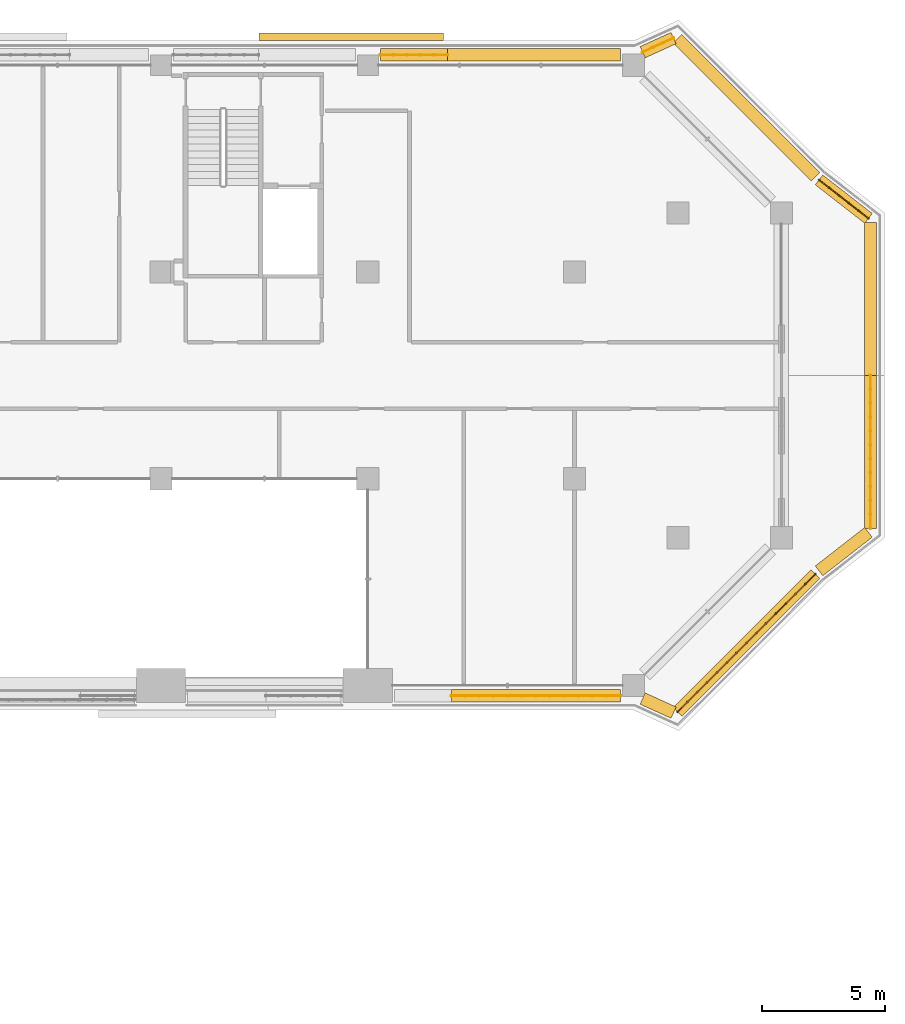
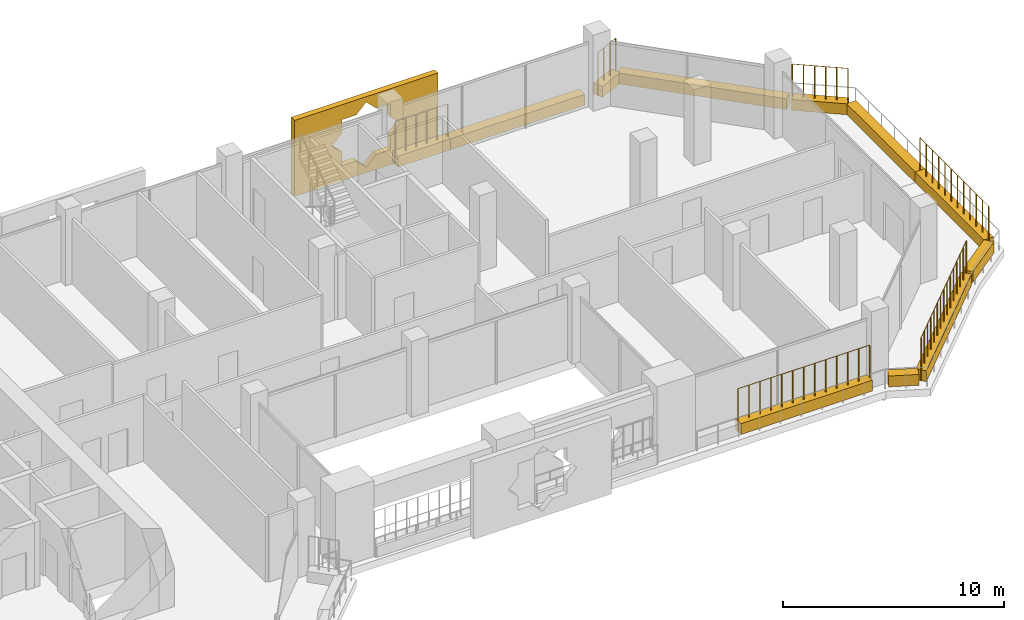
# One storey, part 23 of 23: 12 coverings, 6 railings.
"""IFC4 building model written with IfcOpenShell, lengths in metres."""

from ifc_helpers import new_model, si_unit, direction, frame, origin, origin_2d, place, context, subcontext, project, spatial, polyline, rectangle, circle, outline, extrude, material, material_profile, profile_set, type_object, element, save


model = new_model("IFC4")

# Units and contexts
model_context = context("Model", 3, precision=1e-05, world=origin(), true_north=direction((0.0, 1.0)))
body_context = subcontext(model_context, "Body", "Model", "MODEL_VIEW")
ifc_project = project(units=[si_unit("LENGTHUNIT", "METRE"), si_unit("AREAUNIT", "SQUARE_METRE"), si_unit("VOLUMEUNIT", "CUBIC_METRE"), si_unit("PLANEANGLEUNIT", "RADIAN"), si_unit("MASSUNIT", "GRAM", prefix="KILO")], contexts=[model_context])

# Site, building, storey
site_placement = place(None, origin())
site = spatial("IfcSite", under=ifc_project, at=site_placement, CompositionType="ELEMENT")
building_placement = place(site_placement, origin())
building = spatial("IfcBuilding", under=site, at=building_placement, Name="Kawkab Arch Medical Tower", CompositionType="ELEMENT")
storey_placement = place(building_placement, frame((0.0, 0.0, 226.39990234375)))
storey = spatial("IfcBuildingStorey", under=building, at=storey_placement, Name="L52", CompositionType="ELEMENT", Elevation=226.39990234375)

# Coverings
ifc_material_1 = material(Name="Bronze anodised aluminium mashrabiya panel, eight-point star pattern", Category="aluminium")
ifc_material_profile_1 = material_profile(ifc_material_1, outline(polyline([(-3.75, -2.10009765625), (3.75, -2.10009765625), (3.75, 2.10009765625), (-3.75, 2.10009765625), (-3.75, -2.10009765625)]), holes=[polyline([(1.800048828125, 0.0), (1.272705078125, 0.527099609375), (1.272705078125, 1.272705078125), (0.527099609375, 1.272705078125), (0.0, 1.800048828125), (-0.527099609375, 1.272705078125), (-1.272705078125, 1.272705078125), (-1.272705078125, 0.527099609375), (-1.800048828125, 0.0), (-1.272705078125, -0.527099609375), (-1.272705078125, -1.272705078125), (-0.527099609375, -1.272705078125), (0.0, -1.800048828125), (0.527099609375, -1.272705078125), (1.272705078125, -1.272705078125), (1.272705078125, -0.527099609375), (1.800048828125, 0.0)])]), Name="Mashrabiya panel 7500x4200")
ifc_profile_set_1 = profile_set([ifc_material_profile_1], Name="Bronze anodised aluminium mashrabiya panel, eight-point star pattern")
covering_type_1 = type_object("IfcCoveringType", Name="Mashrabiya panel 7500 x 4200", PredefinedType="USERDEFINED", material=ifc_profile_set_1)
covering_1_placement = place(storey_placement, frame((49.726318359375, 1.0, 1.7001953125), z_axis=(0.0, 1.0, 0.0), x_axis=(-1.0, 0.0, 0.0)))
element("IfcCovering", 1, at=covering_1_placement, inside=storey, type_object=covering_type_1, Name="Mashrabiya panel L52.LOG-01-02.8", ObjectType="SCREEN", PredefinedType="USERDEFINED", context=body_context, shape_type="SweptSolid", body=[
    extrude(outline(polyline([(-3.75, -2.10009765625), (3.75, -2.10009765625), (3.75, 2.10009765625), (-3.75, 2.10009765625), (-3.75, -2.10009765625)]), holes=[polyline([(1.800048828125, 0.0), (1.272705078125, 0.527099609375), (1.272705078125, 1.272705078125), (0.527099609375, 1.272705078125), (0.0, 1.800048828125), (-0.527099609375, 1.272705078125), (-1.272705078125, 1.272705078125), (-1.272705078125, 0.527099609375), (-1.800048828125, 0.0), (-1.272705078125, -0.527099609375), (-1.272705078125, -1.272705078125), (-0.527099609375, -1.272705078125), (0.0, -1.800048828125), (0.527099609375, -1.272705078125), (1.272705078125, -1.272705078125), (1.272705078125, -0.527099609375), (1.800048828125, 0.0)])]), origin(), (0.0, 0.0, 1.0), 0.300048828125),
])
ifc_material_2 = material(Name="Planting soil in a precast trough", Category="concrete")
ifc_material_profile_2 = material_profile(ifc_material_2, rectangle(XDim=0.5, YDim=0.60009765625, at=origin_2d()), Name="Trough 500x600")
ifc_profile_set_2 = profile_set([ifc_material_profile_2], Name="Planting soil in a precast trough")
covering_type_2 = type_object("IfcCoveringType", Name="Planter trough 500 x 600", PredefinedType="USERDEFINED", material=ifc_profile_set_2)
covering_2_placement = place(storey_placement, frame((50.905029296875, 0.419921875, 0.300048828125), z_axis=(1.0, 0.0, 0.0), x_axis=(0.0, 1.0, 0.0)))
element("IfcCovering", 2, at=covering_2_placement, inside=storey, type_object=covering_type_2, Name="Planter L52.LOG-01-02.27", ObjectType="PLANTER", PredefinedType="USERDEFINED", context=body_context, shape_type="SweptSolid", body=[
    extrude(rectangle(XDim=0.5, YDim=0.60009765625, at=origin_2d()), origin(), (0.0, 0.0, 1.0), 2.739013671875),
])
covering_3_placement = place(storey_placement, frame((53.64404296875, 0.419921875, 0.300048828125), z_axis=(1.0, 0.0, 0.0), x_axis=(0.0, 1.0, 0.0)))
element("IfcCovering", 3, at=covering_3_placement, inside=storey, type_object=covering_type_2, Name="Planter L52.LOG-01-02.28", ObjectType="PLANTER", PredefinedType="USERDEFINED", context=body_context, shape_type="SweptSolid", body=[
    extrude(rectangle(XDim=0.5, YDim=0.60009765625, at=origin_2d()), origin(), (0.0, 0.0, 1.0), 7.02587890625),
])
covering_4_placement = place(storey_placement, frame((61.56689453125, 0.530029296875, 0.300048828125), z_axis=(0.909831953447, 0.41497688669, 0.0), x_axis=(-0.41497688669, 0.909831953447, 0.0)))
element("IfcCovering", 4, at=covering_4_placement, inside=storey, type_object=covering_type_2, Name="Planter L52.LOG-01-02.29", ObjectType="PLANTER", PredefinedType="USERDEFINED", context=body_context, shape_type="SweptSolid", body=[
    extrude(rectangle(XDim=0.5, YDim=0.60009765625, at=origin_2d()), origin(), (0.0, 0.0, 1.0), 1.37841796875),
])
covering_5_placement = place(storey_placement, frame((62.98291015625, 1.072998046875, 0.300048828125), z_axis=(0.707106781187, -0.707106781187, 0.0), x_axis=(0.707106781187, 0.707106781187, 0.0)))
element("IfcCovering", 5, at=covering_5_placement, inside=storey, type_object=covering_type_2, Name="Planter L52.LOG-01-02.30", ObjectType="PLANTER", PredefinedType="USERDEFINED", context=body_context, shape_type="SweptSolid", body=[
    extrude(rectangle(XDim=0.5, YDim=0.60009765625, at=origin_2d()), origin(), (0.0, 0.0, 1.0), 7.919677734375),
])
covering_6_placement = place(storey_placement, frame((68.73193359375, -4.658935546875, 0.300048828125), z_axis=(0.789274742246, -0.61404021143, 0.0), x_axis=(0.61404021143, 0.789274742246, 0.0)))
element("IfcCovering", 6, at=covering_6_placement, inside=storey, type_object=covering_type_2, Name="Planter L52.LOG-01-02.31", ObjectType="PLANTER", PredefinedType="USERDEFINED", context=body_context, shape_type="SweptSolid", body=[
    extrude(rectangle(XDim=0.5, YDim=0.60009765625, at=origin_2d()), origin(), (0.0, 0.0, 1.0), 2.54541015625),
])
covering_7_placement = place(storey_placement, frame((70.820068359375, -6.384033203125, 0.300048828125), z_axis=(0.0, -1.0, 0.0), x_axis=(1.0, 0.0, 0.0)))
element("IfcCovering", 7, at=covering_7_placement, inside=storey, type_object=covering_type_2, Name="Planter L52.LOG-01-02.32", ObjectType="PLANTER", PredefinedType="USERDEFINED", context=body_context, shape_type="SweptSolid", body=[
    extrude(rectangle(XDim=0.5, YDim=0.60009765625, at=origin_2d()), origin(), (0.0, 0.0, 1.0), 6.216064453125),
])
covering_8_placement = place(storey_placement, frame((70.820068359375, -12.60009765625, 0.300048828125), z_axis=(0.0, -1.0, 0.0), x_axis=(1.0, 0.0, 0.0)))
element("IfcCovering", 8, at=covering_8_placement, inside=storey, type_object=covering_type_2, Name="Planter L52.LOG-01-02.33", ObjectType="PLANTER", PredefinedType="USERDEFINED", context=body_context, shape_type="SweptSolid", body=[
    extrude(rectangle(XDim=0.5, YDim=0.60009765625, at=origin_2d()), origin(), (0.0, 0.0, 1.0), 6.2158203125),
])
covering_9_placement = place(storey_placement, frame((70.740966796875, -18.97802734375, 0.300048828125), z_axis=(-0.789274742246, -0.61404021143, 0.0), x_axis=(0.61404021143, -0.789274742246, 0.0)))
element("IfcCovering", 9, at=covering_9_placement, inside=storey, type_object=covering_type_2, Name="Planter L52.LOG-01-02.34", ObjectType="PLANTER", PredefinedType="USERDEFINED", context=body_context, shape_type="SweptSolid", body=[
    extrude(rectangle(XDim=0.5, YDim=0.60009765625, at=origin_2d()), origin(), (0.0, 0.0, 1.0), 2.54541015625),
])
covering_10_placement = place(storey_placement, frame((68.5830078125, -20.673095703125, 0.300048828125), z_axis=(-0.70712219479, -0.707091367247, 0.0), x_axis=(0.707091367247, -0.70712219479, 0.0)))
element("IfcCovering", 10, at=covering_10_placement, inside=storey, type_object=covering_type_2, Name="Planter L52.LOG-01-02.35", ObjectType="PLANTER", PredefinedType="USERDEFINED", context=body_context, shape_type="SweptSolid", body=[
    extrude(rectangle(XDim=0.5, YDim=0.60009765625, at=origin_2d()), origin(), (0.0, 0.0, 1.0), 7.919677734375),
])
covering_11_placement = place(storey_placement, frame((62.821044921875, -26.302001953125, 0.300048828125), z_axis=(-0.909831953447, 0.41497688669, 0.0), x_axis=(-0.41497688669, -0.909831953447, 0.0)))
element("IfcCovering", 11, at=covering_11_placement, inside=storey, type_object=covering_type_2, Name="Planter L52.LOG-01-02.36", ObjectType="PLANTER", PredefinedType="USERDEFINED", context=body_context, shape_type="SweptSolid", body=[
    extrude(rectangle(XDim=0.5, YDim=0.60009765625, at=origin_2d()), origin(), (0.0, 0.0, 1.0), 1.37841796875),
])
covering_12_placement = place(storey_placement, frame((60.669921875, -25.6201171875, 0.300048828125), z_axis=(-1.0, 0.0, 0.0), x_axis=(0.0, -1.0, 0.0)))
element("IfcCovering", 12, at=covering_12_placement, inside=storey, type_object=covering_type_2, Name="Planter L52.LOG-01-02.37", ObjectType="PLANTER", PredefinedType="USERDEFINED", context=body_context, shape_type="SweptSolid", body=[
    extrude(rectangle(XDim=0.5, YDim=0.60009765625, at=origin_2d()), origin(), (0.0, 0.0, 1.0), 6.87890625),
])

# Railings
ifc_material_3 = material(Name="Bronze anodised aluminium trellis for climbing plants", Category="aluminium")
railing_type = type_object("IfcRailingType", Name="Planting trellis 2400", PredefinedType="USERDEFINED", material=ifc_material_3)
railing_1_placement = place(storey_placement, frame((50.905029296875, 0.419921875, 0.0)))
element("IfcRailing", 13, at=railing_1_placement, inside=storey, type_object=railing_type, Name="Planting trellis L52.LOG-01-02.27", ObjectType="TRELLIS", PredefinedType="USERDEFINED", context=body_context, shape_type="SweptSolid", body=[
    extrude(circle(Radius=0.01513671875, at=origin_2d()), frame((0.0, 0.0, 2.384765625), z_axis=(1.0, 0.0, 0.0), x_axis=(0.0, 1.0, 0.0)), (0.0, 0.0, 1.0), 2.739013671875),
    extrude(circle(Radius=0.030029296875, at=origin_2d()), origin(), (0.0, 0.0, 1.0), 2.369873046875),
    extrude(circle(Radius=0.030029296875, at=origin_2d()), frame((0.5478515625, 0.0, 0.0)), (0.0, 0.0, 1.0), 2.369873046875),
    extrude(circle(Radius=0.030029296875, at=origin_2d()), frame((1.095703125, 0.0, 0.0)), (0.0, 0.0, 1.0), 2.369873046875),
    extrude(circle(Radius=0.030029296875, at=origin_2d()), frame((1.643310546875, 0.0, 0.0)), (0.0, 0.0, 1.0), 2.369873046875),
    extrude(circle(Radius=0.030029296875, at=origin_2d()), frame((2.191162109375, 0.0, 0.0)), (0.0, 0.0, 1.0), 2.369873046875),
    extrude(circle(Radius=0.030029296875, at=origin_2d()), frame((2.739013671875, 0.0, 0.0)), (0.0, 0.0, 1.0), 2.369873046875),
])
railing_2_placement = place(storey_placement, frame((61.56689453125, 0.530029296875, 0.0)))
element("IfcRailing", 14, at=railing_2_placement, inside=storey, type_object=railing_type, Name="Planting trellis L52.LOG-01-02.29", ObjectType="TRELLIS", PredefinedType="USERDEFINED", context=body_context, shape_type="SweptSolid", body=[
    extrude(circle(Radius=0.01513671875, at=origin_2d()), frame((0.0, 0.0, 2.384765625), z_axis=(0.909831953447, 0.41497688669, 0.0), x_axis=(-0.41497688669, 0.909831953447, 0.0)), (0.0, 0.0, 1.0), 1.37841796875),
    extrude(circle(Radius=0.030029296875, at=origin_2d()), origin(), (0.0, 0.0, 1.0), 2.369873046875),
    extrude(circle(Radius=0.030029296875, at=origin_2d()), frame((0.41796875, 0.190673828125, 0.0)), (0.0, 0.0, 1.0), 2.369873046875),
    extrude(circle(Radius=0.030029296875, at=origin_2d()), frame((0.836181640625, 0.38134765625, 0.0)), (0.0, 0.0, 1.0), 2.369873046875),
    extrude(circle(Radius=0.030029296875, at=origin_2d()), frame((1.254150390625, 0.572021484375, 0.0)), (0.0, 0.0, 1.0), 2.369873046875),
])
railing_3_placement = place(storey_placement, frame((68.73193359375, -4.658935546875, 0.0)))
element("IfcRailing", 15, at=railing_3_placement, inside=storey, type_object=railing_type, Name="Planting trellis L52.LOG-01-02.31", ObjectType="TRELLIS", PredefinedType="USERDEFINED", context=body_context, shape_type="SweptSolid", body=[
    extrude(circle(Radius=0.01513671875, at=origin_2d()), frame((0.0, 0.0, 2.384765625), z_axis=(0.789274742246, -0.61404021143, 0.0), x_axis=(0.61404021143, 0.789274742246, 0.0)), (0.0, 0.0, 1.0), 2.54541015625),
    extrude(circle(Radius=0.030029296875, at=origin_2d()), origin(), (0.0, 0.0, 1.0), 2.369873046875),
    extrude(circle(Radius=0.030029296875, at=origin_2d()), frame((0.40185546875, -0.3125, 0.0)), (0.0, 0.0, 1.0), 2.369873046875),
    extrude(circle(Radius=0.030029296875, at=origin_2d()), frame((0.8037109375, -0.625244140625, 0.0)), (0.0, 0.0, 1.0), 2.369873046875),
    extrude(circle(Radius=0.030029296875, at=origin_2d()), frame((1.205322265625, -0.937744140625, 0.0)), (0.0, 0.0, 1.0), 2.369873046875),
    extrude(circle(Radius=0.030029296875, at=origin_2d()), frame((1.607177734375, -1.25048828125, 0.0)), (0.0, 0.0, 1.0), 2.369873046875),
    extrude(circle(Radius=0.030029296875, at=origin_2d()), frame((2.009033203125, -1.56298828125, 0.0)), (0.0, 0.0, 1.0), 2.369873046875),
])
railing_4_placement = place(storey_placement, frame((70.820068359375, -12.60009765625, 0.0)))
element("IfcRailing", 16, at=railing_4_placement, inside=storey, type_object=railing_type, Name="Planting trellis L52.LOG-01-02.33", ObjectType="TRELLIS", PredefinedType="USERDEFINED", context=body_context, shape_type="SweptSolid", body=[
    extrude(circle(Radius=0.01513671875, at=origin_2d()), frame((0.0, 0.0, 2.384765625), z_axis=(0.0, -1.0, 0.0), x_axis=(1.0, 0.0, 0.0)), (0.0, 0.0, 1.0), 6.2158203125),
    extrude(circle(Radius=0.030029296875, at=origin_2d()), origin(), (0.0, 0.0, 1.0), 2.369873046875),
    extrude(circle(Radius=0.030029296875, at=origin_2d()), frame((0.0, -0.565185546875, 0.0)), (0.0, 0.0, 1.0), 2.369873046875),
    extrude(circle(Radius=0.030029296875, at=origin_2d()), frame((0.0, -1.130126953125, 0.0)), (0.0, 0.0, 1.0), 2.369873046875),
    extrude(circle(Radius=0.030029296875, at=origin_2d()), frame((0.0, -1.6953125, 0.0)), (0.0, 0.0, 1.0), 2.369873046875),
    extrude(circle(Radius=0.030029296875, at=origin_2d()), frame((0.0, -2.26025390625, 0.0)), (0.0, 0.0, 1.0), 2.369873046875),
    extrude(circle(Radius=0.030029296875, at=origin_2d()), frame((0.0, -2.825439453125, 0.0)), (0.0, 0.0, 1.0), 2.369873046875),
    extrude(circle(Radius=0.030029296875, at=origin_2d()), frame((0.0, -3.390380859375, 0.0)), (0.0, 0.0, 1.0), 2.369873046875),
    extrude(circle(Radius=0.030029296875, at=origin_2d()), frame((0.0, -3.95556640625, 0.0)), (0.0, 0.0, 1.0), 2.369873046875),
    extrude(circle(Radius=0.030029296875, at=origin_2d()), frame((0.0, -4.5205078125, 0.0)), (0.0, 0.0, 1.0), 2.369873046875),
    extrude(circle(Radius=0.030029296875, at=origin_2d()), frame((0.0, -5.085693359375, 0.0)), (0.0, 0.0, 1.0), 2.369873046875),
    extrude(circle(Radius=0.030029296875, at=origin_2d()), frame((0.0, -5.650634765625, 0.0)), (0.0, 0.0, 1.0), 2.369873046875),
    extrude(circle(Radius=0.030029296875, at=origin_2d()), frame((0.0, -6.2158203125, 0.0)), (0.0, 0.0, 1.0), 2.369873046875),
])
railing_5_placement = place(storey_placement, frame((68.5830078125, -20.673095703125, 0.0)))
element("IfcRailing", 17, at=railing_5_placement, inside=storey, type_object=railing_type, Name="Planting trellis L52.LOG-01-02.35", ObjectType="TRELLIS", PredefinedType="USERDEFINED", context=body_context, shape_type="SweptSolid", body=[
    extrude(circle(Radius=0.01513671875, at=origin_2d()), frame((0.0, 0.0, 2.384765625), z_axis=(-0.70712219479, -0.707091367247, 0.0), x_axis=(0.707091367247, -0.70712219479, 0.0)), (0.0, 0.0, 1.0), 7.919677734375),
    extrude(circle(Radius=0.030029296875, at=origin_2d()), origin(), (0.0, 0.0, 1.0), 2.369873046875),
    extrude(circle(Radius=0.030029296875, at=origin_2d()), frame((-0.39990234375, -0.39990234375, 0.0)), (0.0, 0.0, 1.0), 2.369873046875),
    extrude(circle(Radius=0.030029296875, at=origin_2d()), frame((-0.800048828125, -0.800048828125, 0.0)), (0.0, 0.0, 1.0), 2.369873046875),
    extrude(circle(Radius=0.030029296875, at=origin_2d()), frame((-1.199951171875, -1.199951171875, 0.0)), (0.0, 0.0, 1.0), 2.369873046875),
    extrude(circle(Radius=0.030029296875, at=origin_2d()), frame((-1.60009765625, -1.599853515625, 0.0)), (0.0, 0.0, 1.0), 2.369873046875),
    extrude(circle(Radius=0.030029296875, at=origin_2d()), frame((-2.0, -2.0, 0.0)), (0.0, 0.0, 1.0), 2.369873046875),
    extrude(circle(Radius=0.030029296875, at=origin_2d()), frame((-2.400146484375, -2.39990234375, 0.0)), (0.0, 0.0, 1.0), 2.369873046875),
    extrude(circle(Radius=0.030029296875, at=origin_2d()), frame((-2.800048828125, -2.7998046875, 0.0)), (0.0, 0.0, 1.0), 2.369873046875),
    extrude(circle(Radius=0.030029296875, at=origin_2d()), frame((-3.199951171875, -3.199951171875, 0.0)), (0.0, 0.0, 1.0), 2.369873046875),
    extrude(circle(Radius=0.030029296875, at=origin_2d()), frame((-3.60009765625, -3.599853515625, 0.0)), (0.0, 0.0, 1.0), 2.369873046875),
    extrude(circle(Radius=0.030029296875, at=origin_2d()), frame((-4.0, -4.0, 0.0)), (0.0, 0.0, 1.0), 2.369873046875),
    extrude(circle(Radius=0.030029296875, at=origin_2d()), frame((-4.400146484375, -4.39990234375, 0.0)), (0.0, 0.0, 1.0), 2.369873046875),
    extrude(circle(Radius=0.030029296875, at=origin_2d()), frame((-4.800048828125, -4.7998046875, 0.0)), (0.0, 0.0, 1.0), 2.369873046875),
    extrude(circle(Radius=0.030029296875, at=origin_2d()), frame((-5.2001953125, -5.199951171875, 0.0)), (0.0, 0.0, 1.0), 2.369873046875),
    extrude(circle(Radius=0.030029296875, at=origin_2d()), frame((-5.60009765625, -5.599853515625, 0.0)), (0.0, 0.0, 1.0), 2.369873046875),
])
railing_6_placement = place(storey_placement, frame((60.669921875, -25.6201171875, 0.0)))
element("IfcRailing", 18, at=railing_6_placement, inside=storey, type_object=railing_type, Name="Planting trellis L52.LOG-01-02.37", ObjectType="TRELLIS", PredefinedType="USERDEFINED", context=body_context, shape_type="SweptSolid", body=[
    extrude(circle(Radius=0.01513671875, at=origin_2d()), frame((0.0, 0.0, 2.384765625), z_axis=(-1.0, 0.0, 0.0), x_axis=(0.0, -1.0, 0.0)), (0.0, 0.0, 1.0), 6.87890625),
    extrude(circle(Radius=0.030029296875, at=origin_2d()), origin(), (0.0, 0.0, 1.0), 2.369873046875),
    extrude(circle(Radius=0.030029296875, at=origin_2d()), frame((-0.5732421875, 0.0, 0.0)), (0.0, 0.0, 1.0), 2.369873046875),
    extrude(circle(Radius=0.030029296875, at=origin_2d()), frame((-1.146484375, 0.0, 0.0)), (0.0, 0.0, 1.0), 2.369873046875),
    extrude(circle(Radius=0.030029296875, at=origin_2d()), frame((-1.7197265625, 0.0, 0.0)), (0.0, 0.0, 1.0), 2.369873046875),
    extrude(circle(Radius=0.030029296875, at=origin_2d()), frame((-2.29296875, 0.0, 0.0)), (0.0, 0.0, 1.0), 2.369873046875),
    extrude(circle(Radius=0.030029296875, at=origin_2d()), frame((-2.8662109375, 0.0, 0.0)), (0.0, 0.0, 1.0), 2.369873046875),
    extrude(circle(Radius=0.030029296875, at=origin_2d()), frame((-3.439453125, 0.0, 0.0)), (0.0, 0.0, 1.0), 2.369873046875),
    extrude(circle(Radius=0.030029296875, at=origin_2d()), frame((-4.0126953125, 0.0, 0.0)), (0.0, 0.0, 1.0), 2.369873046875),
    extrude(circle(Radius=0.030029296875, at=origin_2d()), frame((-4.5859375, 0.0, 0.0)), (0.0, 0.0, 1.0), 2.369873046875),
    extrude(circle(Radius=0.030029296875, at=origin_2d()), frame((-5.1591796875, 0.0, 0.0)), (0.0, 0.0, 1.0), 2.369873046875),
    extrude(circle(Radius=0.030029296875, at=origin_2d()), frame((-5.732421875, 0.0, 0.0)), (0.0, 0.0, 1.0), 2.369873046875),
    extrude(circle(Radius=0.030029296875, at=origin_2d()), frame((-6.3056640625, 0.0, 0.0)), (0.0, 0.0, 1.0), 2.369873046875),
    extrude(circle(Radius=0.030029296875, at=origin_2d()), frame((-6.87890625, 0.0, 0.0)), (0.0, 0.0, 1.0), 2.369873046875),
])

save(model, "model.ifc")
